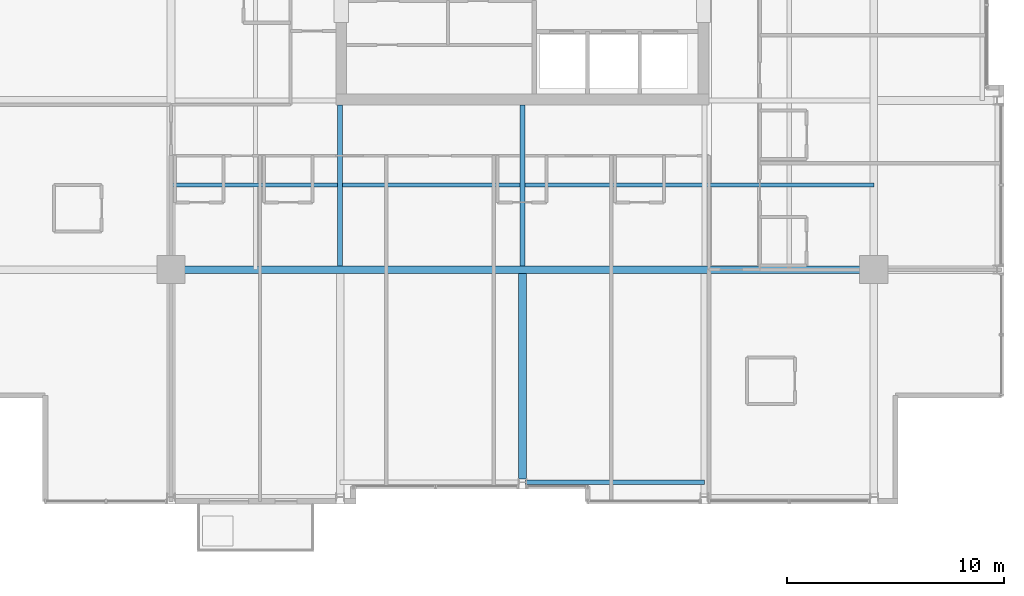
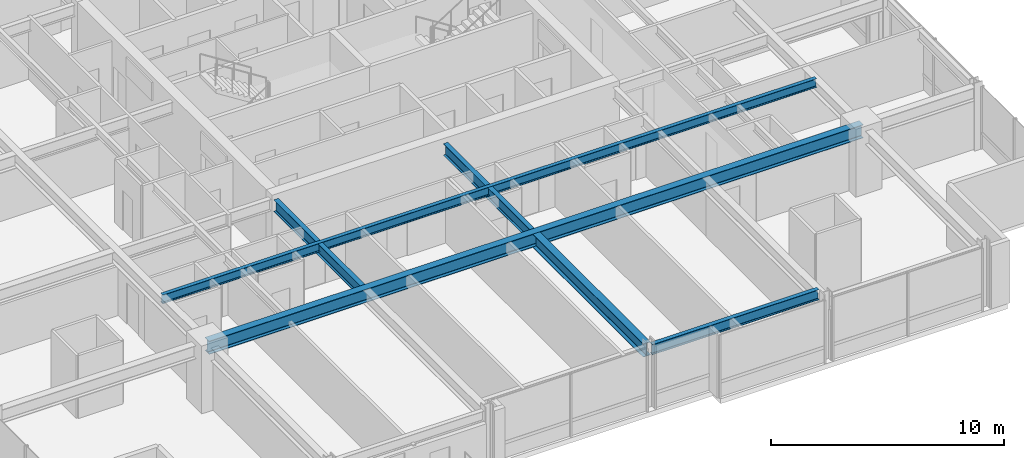
# One storey, part 6 of 32: 6 beams.
"""IFC4 building model written with IfcOpenShell, lengths in metres."""

from ifc_helpers import new_model, si_unit, direction, frame, origin, origin_2d, place, context, subcontext, project, spatial, i_section, extrude, material, material_profile, profile_set, type_object, element, save


model = new_model("IFC4")

# Units and contexts
model_context = context("Model", 3, precision=1e-05, world=origin(), true_north=direction((0.0, 1.0)))
body_context = subcontext(model_context, "Body", "Model", "MODEL_VIEW")
ifc_project = project(units=[si_unit("LENGTHUNIT", "METRE"), si_unit("AREAUNIT", "SQUARE_METRE"), si_unit("VOLUMEUNIT", "CUBIC_METRE"), si_unit("PLANEANGLEUNIT", "RADIAN"), si_unit("MASSUNIT", "GRAM", prefix="KILO")], contexts=[model_context])

# Site, building, storey
site_placement = place(None, origin())
site = spatial("IfcSite", under=ifc_project, at=site_placement, CompositionType="ELEMENT")
building_placement = place(site_placement, origin())
building = spatial("IfcBuilding", under=site, at=building_placement, Name="Drelvath Grand Hotel", CompositionType="ELEMENT")
storey_placement = place(building_placement, frame((0.0, 0.0, 157.5)))
storey = spatial("IfcBuildingStorey", under=building, at=storey_placement, Name="L40", CompositionType="ELEMENT", Elevation=157.5)

# Beams
ifc_material = material(Name="Steel ASTM A992 Gr 50", Category="steel")
ifc_material_profile_1 = material_profile(ifc_material, i_section(OverallWidth=0.19140625, OverallDepth=0.4599609375, WebThickness=0.010009765625, FlangeThickness=0.01611328125, FilletRadius=0.01611328125, at=origin_2d()), Name="W18X55")
ifc_profile_set_1 = profile_set([ifc_material_profile_1], Name="Steel ASTM A992 Gr 50")
beam_type_1 = type_object("IfcBeamType", Name="Composite Floor Joist W18X55", PredefinedType="JOIST", material=ifc_profile_set_1)
beam_1_placement = place(storey_placement, frame((-16.199951171875, 14.699951171875, 3.06005859375), z_axis=(1.0, 0.0, 0.0), x_axis=(0.0, 1.0, 0.0)))
element("IfcBeam", 1, at=beam_1_placement, inside=storey, type_object=beam_type_1, Name="L40 Floor Joist J1", PredefinedType="JOIST", context=body_context, shape_type="SweptSolid", body=[
    extrude(i_section(OverallWidth=0.19140625, OverallDepth=0.4599609375, WebThickness=0.010009765625, FlangeThickness=0.01611328125, FilletRadius=0.01611328125, at=origin_2d()), origin(), (0.0, 0.0, 1.0), 32.39990234375),
])
ifc_material_profile_2 = material_profile(ifc_material, i_section(OverallWidth=0.210205078125, OverallDepth=0.53662109375, WebThickness=0.010986328125, FlangeThickness=0.017333984375, FilletRadius=0.01806640625, at=origin_2d()), Name="W21X68")
ifc_profile_set_2 = profile_set([ifc_material_profile_2], Name="Steel ASTM A992 Gr 50")
beam_type_2 = type_object("IfcBeamType", Name="Perimeter Spandrel Beam W21X68", PredefinedType="SPANDREL", material=ifc_profile_set_2)
beam_2_placement = place(storey_placement, frame((0.139892578125, 1.0, 3.021484375), z_axis=(1.0, 0.0, 0.0), x_axis=(0.0, 1.0, 0.0)))
element("IfcBeam", 2, at=beam_2_placement, inside=storey, type_object=beam_type_2, Name="L40 Spandrel South Mid E", PredefinedType="SPANDREL", context=body_context, shape_type="SweptSolid", body=[
    extrude(i_section(OverallWidth=0.210205078125, OverallDepth=0.53662109375, WebThickness=0.010986328125, FlangeThickness=0.017333984375, FilletRadius=0.01806640625, at=origin_2d()), origin(), (0.0, 0.0, 1.0), 8.260009765625),
])
ifc_material_profile_3 = material_profile(ifc_material, i_section(OverallWidth=0.228271484375, OverallDepth=0.607666015625, WebThickness=0.01123046875, FlangeThickness=0.017333984375, FilletRadius=0.02001953125, at=origin_2d()), Name="W24X76")
ifc_profile_set_3 = profile_set([ifc_material_profile_3], Name="Steel ASTM A992 Gr 50")
beam_type_3 = type_object("IfcBeamType", Name="Primary Floor Girder W24X76", PredefinedType="BEAM", material=ifc_profile_set_3)
for number, where, z_axis, x_axis, name in (
    (3, (-8.39990234375, 10.977294921875, 2.986083984375), (0.0, 1.0, 0.0), (-1.0, 0.0, 0.0), "L40 South Core Tie 4"),
    (4, (0.0, 10.977294921875, 2.986083984375), (0.0, 1.0, 0.0), (-1.0, 0.0, 0.0), "L40 South Core Tie 5"),
):
    element("IfcBeam", number, at=place(storey_placement, frame(where, z_axis=z_axis, x_axis=x_axis)), inside=storey, type_object=beam_type_3, Name=name, PredefinedType="BEAM", context=body_context, shape_type="SweptSolid", body=[
        extrude(i_section(OverallWidth=0.228271484375, OverallDepth=0.607666015625, WebThickness=0.01123046875, FlangeThickness=0.017333984375, FilletRadius=0.02001953125, at=origin_2d()), origin(), (0.0, 0.0, 1.0), 7.422607421875),
    ])
ifc_material_profile_4 = material_profile(ifc_material, i_section(OverallWidth=0.354736328125, OverallDepth=0.695556640625, WebThickness=0.015380859375, FlangeThickness=0.025146484375, FilletRadius=0.02392578125, at=origin_2d()), Name="W27X146")
ifc_profile_set_4 = profile_set([ifc_material_profile_4], Name="Steel ASTM A992 Gr 50")
beam_type_4 = type_object("IfcBeamType", Name="Primary Floor Girder W27X146", PredefinedType="BEAM", material=ifc_profile_set_4)
beam_3_placement = place(storey_placement, frame((-16.199951171875, 10.800048828125, 2.9423828125), z_axis=(1.0, 0.0, 0.0), x_axis=(0.0, 1.0, 0.0)))
element("IfcBeam", 5, at=beam_3_placement, inside=storey, type_object=beam_type_4, Name="L40 Mega Ring Girder South", PredefinedType="BEAM", context=body_context, shape_type="SweptSolid", body=[
    extrude(i_section(OverallWidth=0.354736328125, OverallDepth=0.695556640625, WebThickness=0.015380859375, FlangeThickness=0.025146484375, FilletRadius=0.02392578125, at=origin_2d()), origin(), (0.0, 0.0, 1.0), 32.39990234375),
])
beam_4_placement = place(storey_placement, frame((0.0, 1.139892578125, 2.9423828125), z_axis=(0.0, 1.0, 0.0), x_axis=(-1.0, 0.0, 0.0)))
element("IfcBeam", 6, at=beam_4_placement, inside=storey, type_object=beam_type_4, Name="L40 South Wing Girder 5", PredefinedType="BEAM", context=body_context, shape_type="SweptSolid", body=[
    extrude(i_section(OverallWidth=0.354736328125, OverallDepth=0.695556640625, WebThickness=0.015380859375, FlangeThickness=0.025146484375, FilletRadius=0.02392578125, at=origin_2d()), origin(), (0.0, 0.0, 1.0), 9.482666015625),
])

save(model, "model.ifc")
